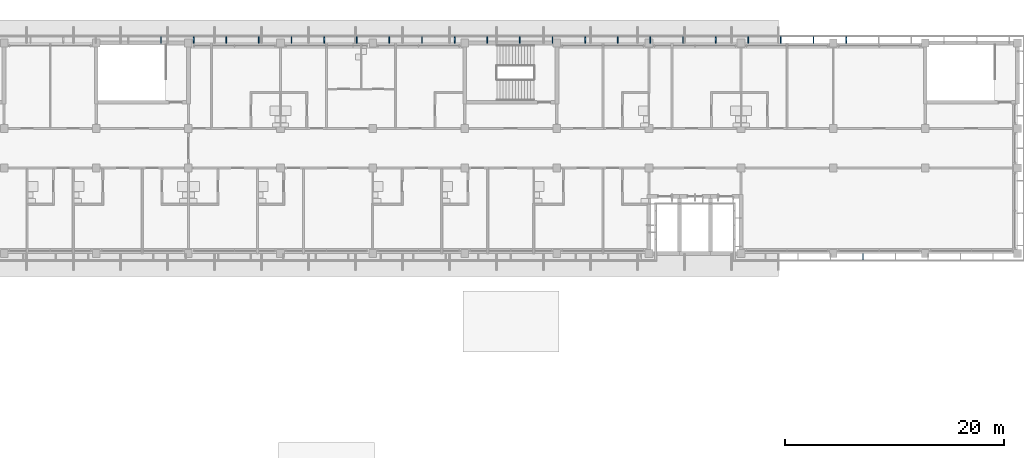
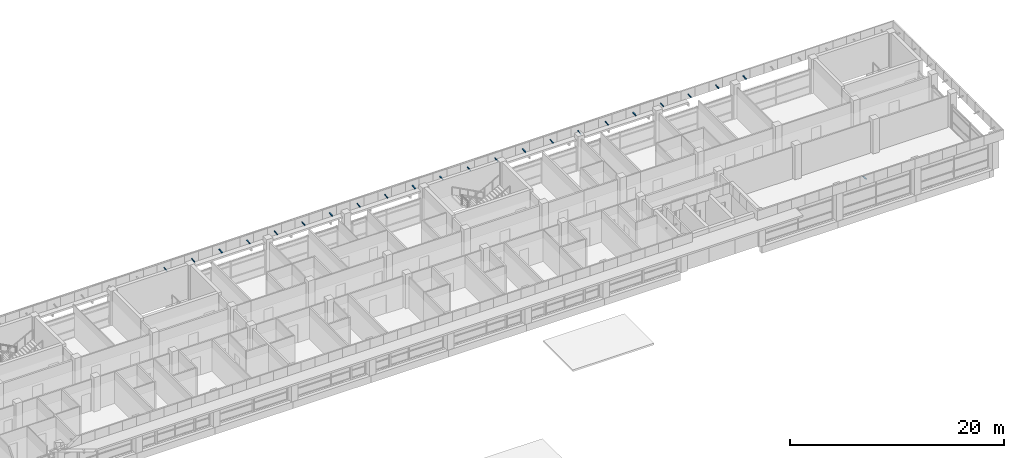
# One storey, part 28 of 36: 23 discrete accessories.
"""IFC4 building model written with IfcOpenShell, lengths in metres."""

import ifcopenshell
import ifcopenshell.guid

model = None  # the IFC model being written
_history = None  # IfcOwnerHistory: only IFC2X3 demands one
_inside = {}  # id of a spatial element -> (the spatial element, [elements in it])
_under = {}  # id of a project, library or spatial element -> (it, [spatial elements below it])
_declared = {}  # id of a project -> (the project, [libraries it declares])
_typed = {}  # id of a type object -> (the type object, [elements of that type])
_made_of = {}  # id of a material, layer set ... -> (it, [elements and type objects made of it])


def new_model(schema):
    """Start an empty IFC model of exactly this schema.

    Asked for "IFC4X3", IfcOpenShell would pick the latest addendum, in which some entities
    have other attributes; the version numbers below select the first issue.
    IFC2X3 requires an IfcOwnerHistory on every rooted entity: one is made here for all.
    """
    global model, _history
    if schema == "IFC4X3":
        model = ifcopenshell.file(schema_version=(4, 3, 0, 0))
    else:
        model = ifcopenshell.file(schema=schema)
    _inside.clear()
    _under.clear()
    _declared.clear()
    _typed.clear()
    _made_of.clear()
    _history = None
    if model.schema == "IFC2X3":
        org = make("IfcOrganization", Name="unknown")
        user = make(
            "IfcPersonAndOrganization",
            ThePerson=make("IfcPerson", FamilyName="unknown"),
            TheOrganization=org,
        )
        app = make(
            "IfcApplication",
            ApplicationDeveloper=org,
            Version="unknown",
            ApplicationFullName="unknown",
            ApplicationIdentifier="unknown",
        )
        _history = make(
            "IfcOwnerHistory",
            OwningUser=user,
            OwningApplication=app,
            ChangeAction="ADDED",
            CreationDate=0,
        )
    return model


def make(cls, **values):
    """One entity of the class cls with the attributes given. An attribute that is None is left unset."""
    return model.create_entity(
        cls, **{name: value for name, value in values.items() if value is not None}
    )


def rooted(cls, **values):
    """An entity with a GlobalId (a new one), such as an element, a storey or a relation."""
    return make(cls, GlobalId=ifcopenshell.guid.new(), OwnerHistory=_history, **values)


def si_unit(unit_type, name, prefix=None):
    """IfcSIUnit, for example si_unit("LENGTHUNIT", "METRE", prefix="MILLI")."""
    return make("IfcSIUnit", UnitType=unit_type, Prefix=prefix, Name=name)


def assignment(units):
    """IfcUnitAssignment: the units of a project."""
    return None if units is None else make("IfcUnitAssignment", Units=units)


def point(xyz):
    """IfcCartesianPoint."""
    return None if xyz is None else make("IfcCartesianPoint", Coordinates=xyz)


def direction(xyz):
    """IfcDirection."""
    return None if xyz is None else make("IfcDirection", DirectionRatios=xyz)


def frame(location, z_axis=None, x_axis=None):
    """IfcAxis2Placement3D, a coordinate frame: its origin and axes. An axis left out is left unset."""
    return make(
        "IfcAxis2Placement3D",
        Location=point(location),
        Axis=direction(z_axis),
        RefDirection=direction(x_axis),
    )


def frame_2d(location, x_axis=None):
    """IfcAxis2Placement2D, a coordinate frame in the plane: its origin and x axis."""
    return make(
        "IfcAxis2Placement2D", Location=point(location), RefDirection=direction(x_axis)
    )


def origin():
    """The frame at (0, 0, 0) with its axes left unset."""
    return frame((0.0, 0.0, 0.0))


def origin_2d():
    """The frame at (0, 0) in the plane with its x axis left unset."""
    return frame_2d((0.0, 0.0))


def place(relative_to, where):
    """IfcLocalPlacement: puts the frame where relative to a parent placement (None: the world)."""
    return make(
        "IfcLocalPlacement", PlacementRelTo=relative_to, RelativePlacement=where
    )


def context(
    kind, dimensions, precision=None, world=None, true_north=None, identifier=None
):
    """IfcGeometricRepresentationContext, for example the 3D "Model" context."""
    return make(
        "IfcGeometricRepresentationContext",
        ContextIdentifier=identifier,
        ContextType=kind,
        CoordinateSpaceDimension=dimensions,
        Precision=precision,
        WorldCoordinateSystem=world,
        TrueNorth=true_north,
    )


def subcontext(parent, identifier, kind, view, scale=None):
    """IfcGeometricRepresentationSubContext, for example "Body" below "Model"."""
    return make(
        "IfcGeometricRepresentationSubContext",
        ContextIdentifier=identifier,
        ContextType=kind,
        ParentContext=parent,
        TargetScale=scale,
        TargetView=view,
    )


def project(units=None, contexts=None):
    """IfcProject with its units and contexts."""
    return rooted(
        "IfcProject",
        Name="project",
        RepresentationContexts=contexts,
        UnitsInContext=assignment(units),
    )


def spatial(cls, under=None, at=None, **own):
    """A site, building, storey or space (cls), placed at a placement, below another one or the project."""
    s = rooted(cls, ObjectPlacement=at, **own)
    if under is not None:
        _under.setdefault(under.id(), (under, []))[1].append(s)
    return s


def profile(cls, at=None, kind="AREA", **sizes):
    """A parametric profile (cls). Its sizes go by their IFC names, for example OverallWidth=200.0."""
    return make(cls, ProfileType=kind, Position=at, **sizes)


def rectangle(**sizes):
    """IfcRectangleProfileDef."""
    return profile("IfcRectangleProfileDef", **sizes)


def extrude(swept, where, along, depth):
    """IfcExtrudedAreaSolid: the profile swept, set in the frame where, extruded along a direction by depth."""
    return make(
        "IfcExtrudedAreaSolid",
        SweptArea=swept,
        Position=where,
        ExtrudedDirection=direction(along),
        Depth=depth,
    )


def shape(context_of_items, identifier, shape_type, items):
    """IfcShapeRepresentation: the items that make up one representation, for example the "Body"."""
    return make(
        "IfcShapeRepresentation",
        ContextOfItems=context_of_items,
        RepresentationIdentifier=identifier,
        RepresentationType=shape_type,
        Items=items,
    )


def material(Name=None, Category=None):
    """IfcMaterial."""
    return make("IfcMaterial", Name=Name, Category=Category)


def material_profile(
    of_material, cross_section, Name=None, Category=None, Priority=None
):
    """IfcMaterialProfile: a cross section and its material."""
    return make(
        "IfcMaterialProfile",
        Name=Name,
        Material=of_material,
        Profile=cross_section,
        Priority=Priority,
        Category=Category,
    )


def profile_set(profiles, Name=None, composite=None):
    """IfcMaterialProfileSet."""
    return make(
        "IfcMaterialProfileSet",
        Name=Name,
        MaterialProfiles=profiles,
        CompositeProfile=composite,
    )


def made_of(thing, what):
    """Note that an element or type object is made of a material, layer set ...; save() writes the relation."""
    if what is not None:
        _made_of.setdefault(what.id(), (what, []))[1].append(thing)
    return thing


def type_object(cls, material=None, **own):
    """A type object (cls), such as IfcWallType, which elements share."""
    return made_of(rooted(cls, **own), material)


def element(
    cls,
    number,
    at=None,
    inside=None,
    cuts=None,
    type_object=None,
    material=None,
    context=None,
    identifier="Body",
    shape_type=None,
    held_by="IfcProductDefinitionShape",
    body=None,
    shapes=None,
    **own,
):
    """One element of the class cls, such as IfcWall. Its Tag is "e" and its number.

    at: its placement. inside: the storey or other place that contains it. cuts: it is an
    opening in that element (IfcRelVoidsElement). A single representation is given by context,
    identifier, shape_type and body (its items); several are given by shapes. held_by: the class
    of the entity that holds the representations. save() writes the other relations.
    """
    e = rooted(cls, Tag="e%d" % number, ObjectPlacement=at, **own)
    if body is not None:
        shapes = [shape(context, identifier, shape_type, body)]
    if shapes is not None:
        e.Representation = make(held_by, Representations=shapes)
    if inside is not None:
        _inside.setdefault(inside.id(), (inside, []))[1].append(e)
    if cuts is not None:
        rooted(
            "IfcRelVoidsElement", RelatingBuildingElement=cuts, RelatedOpeningElement=e
        )
    if type_object is not None:
        _typed.setdefault(type_object.id(), (type_object, []))[1].append(e)
    return made_of(e, material)


def aggregate(whole, parts):
    """IfcRelAggregates: a whole, such as a stair, and the parts it consists of."""
    return rooted("IfcRelAggregates", RelatingObject=whole, RelatedObjects=parts)


def save(model, path):
    """Write the relations noted so far, then the file.

    IfcRelAggregates (storeys below a building ...), IfcRelContainedInSpatialStructure (elements
    in a storey), IfcRelDefinesByType, IfcRelAssociatesMaterial and IfcRelDeclares: one each for
    every whole, place, type object, material and project.
    """
    for whole, parts in _under.values():
        aggregate(whole, parts)
    for where, things in _inside.values():
        rooted(
            "IfcRelContainedInSpatialStructure",
            RelatedElements=things,
            RelatingStructure=where,
        )
    for kind, things in _typed.values():
        rooted("IfcRelDefinesByType", RelatedObjects=things, RelatingType=kind)
    for what, things in _made_of.values():
        rooted("IfcRelAssociatesMaterial", RelatedObjects=things, RelatingMaterial=what)
    for by, libraries in _declared.values():
        rooted("IfcRelDeclares", RelatingContext=by, RelatedDefinitions=libraries)
    model.write(path)


model = new_model("IFC4")

# Units and contexts
model_context = context("Model", 3, precision=1e-05, world=origin(), true_north=direction((0.0, 1.0)))
body_context = subcontext(model_context, "Body", "Model", "MODEL_VIEW")
ifc_project = project(units=[si_unit("LENGTHUNIT", "METRE"), si_unit("AREAUNIT", "SQUARE_METRE"), si_unit("VOLUMEUNIT", "CUBIC_METRE"), si_unit("PLANEANGLEUNIT", "RADIAN"), si_unit("MASSUNIT", "GRAM", prefix="KILO")], contexts=[model_context])

# Site, building, storey
site_placement = place(None, origin())
site = spatial("IfcSite", under=ifc_project, at=site_placement, CompositionType="ELEMENT")
building_placement = place(site_placement, origin())
building = spatial("IfcBuilding", under=site, at=building_placement, Name="Bougainvillea Quay General Hospital", CompositionType="ELEMENT")
storey_placement = place(building_placement, frame((0.0, 0.0, 32.699951171875)))
storey = spatial("IfcBuildingStorey", under=building, at=storey_placement, Name="L07", CompositionType="ELEMENT", Elevation=32.699951171875)

# Discrete accessories
ifc_material = material(Name="Stainless steel bracket, grade 316", Category="steel")
ifc_material_profile = material_profile(ifc_material, rectangle(XDim=0.080078125, YDim=0.050048828125, at=origin_2d()))
ifc_profile_set = profile_set([ifc_material_profile], Name="Stainless steel bracket, grade 316")
discrete_accessory_type = type_object("IfcDiscreteAccessoryType", Name="Stainless steel stand-off bracket 80x50", PredefinedType="BRACKET", material=ifc_profile_set)
for number, where, z_axis, x_axis, name in (
    (1, (169.18115234375, 159.60009765625, 3.840087890625), (0.0, 0.994086591779, 0.108590276011), (-1.0, 0.0, 0.0), "Fascia bracket e0 11"),
    (2, (166.206298828125, 159.60009765625, 3.840087890625), (0.0, 0.994086591779, 0.108590276011), (-1.0, 0.0, 0.0), "Fascia bracket e0 13"),
    (3, (163.231201171875, 159.60009765625, 3.840087890625), (0.0, 0.994086591779, 0.108590276011), (-1.0, 0.0, 0.0), "Fascia bracket e0 15"),
    (4, (160.25634765625, 159.60009765625, 3.840087890625), (0.0, 0.994086591779, 0.108590276011), (-1.0, 0.0, 0.0), "Fascia bracket e0 17"),
    (5, (157.28125, 159.60009765625, 3.840087890625), (0.0, 0.994086591779, 0.108590276011), (-1.0, 0.0, 0.0), "Fascia bracket e0 19"),
    (6, (154.30615234375, 159.60009765625, 3.840087890625), (0.0, 0.994086591779, 0.108590276011), (-1.0, 0.0, 0.0), "Fascia bracket e0 21"),
    (7, (151.331298828125, 159.60009765625, 3.840087890625), (0.0, 0.994086591779, 0.108590276011), (-1.0, 0.0, 0.0), "Fascia bracket e0 23"),
    (8, (148.356201171875, 159.60009765625, 3.840087890625), (0.0, 0.994086591779, 0.108590276011), (-1.0, 0.0, 0.0), "Fascia bracket e0 25"),
    (9, (145.38134765625, 159.60009765625, 3.840087890625), (0.0, 0.994086591779, 0.108590276011), (-1.0, 0.0, 0.0), "Fascia bracket e0 27"),
    (10, (142.40625, 159.60009765625, 3.840087890625), (0.0, 0.994086591779, 0.108590276011), (-1.0, 0.0, 0.0), "Fascia bracket e0 29"),
    (11, (139.43115234375, 159.60009765625, 3.840087890625), (0.0, 0.994086591779, 0.108590276011), (-1.0, 0.0, 0.0), "Fascia bracket e0 31"),
    (12, (136.456298828125, 159.60009765625, 3.840087890625), (0.0, 0.994086591779, 0.108590276011), (-1.0, 0.0, 0.0), "Fascia bracket e0 33"),
    (13, (133.481201171875, 159.60009765625, 3.840087890625), (0.0, 0.994086591779, 0.108590276011), (-1.0, 0.0, 0.0), "Fascia bracket e0 35"),
    (14, (130.50634765625, 159.60009765625, 3.840087890625), (0.0, 0.994086591779, 0.108590276011), (-1.0, 0.0, 0.0), "Fascia bracket e0 37"),
    (15, (127.53125, 159.60009765625, 3.840087890625), (0.0, 0.994086591779, 0.108590276011), (-1.0, 0.0, 0.0), "Fascia bracket e0 39"),
    (16, (124.55615234375, 159.60009765625, 3.840087890625), (0.0, 0.994086591779, 0.108590276011), (-1.0, 0.0, 0.0), "Fascia bracket e0 41"),
    (17, (121.581298828125, 159.60009765625, 3.840087890625), (0.0, 0.994086591779, 0.108590276011), (-1.0, 0.0, 0.0), "Fascia bracket e0 43"),
    (18, (118.606201171875, 159.60009765625, 3.840087890625), (0.0, 0.994086591779, 0.108590276011), (-1.0, 0.0, 0.0), "Fascia bracket e0 45"),
    (19, (115.63134765625, 159.60009765625, 3.840087890625), (0.0, 0.994086591779, 0.108590276011), (-1.0, 0.0, 0.0), "Fascia bracket e0 47"),
    (20, (112.65625, 159.60009765625, 3.840087890625), (0.0, 0.994086591779, 0.108590276011), (-1.0, 0.0, 0.0), "Fascia bracket e0 49"),
    (21, (109.68115234375, 159.60009765625, 3.840087890625), (0.0, 0.994086591779, 0.108590276011), (-1.0, 0.0, 0.0), "Fascia bracket e0 51"),
    (22, (106.706298828125, 159.60009765625, 3.840087890625), (0.0, 0.994086591779, 0.108590276011), (-1.0, 0.0, 0.0), "Fascia bracket e0 53"),
    (23, (170.717529296875, 140.39990234375, 3.840087890625), (0.0, -0.994086591779, 0.108590276011), (1.0, 0.0, 0.0), "Fascia bracket e0 213"),
):
    element("IfcDiscreteAccessory", number, at=place(storey_placement, frame(where, z_axis=z_axis, x_axis=x_axis)), inside=storey, type_object=discrete_accessory_type, Name=name, PredefinedType="BRACKET", context=body_context, shape_type="SweptSolid", body=[
        extrude(rectangle(XDim=0.080078125, YDim=0.050048828125, at=origin_2d()), origin(), (0.0, 0.0, 1.0), 0.552978515625),
    ])

save(model, "model.ifc")
